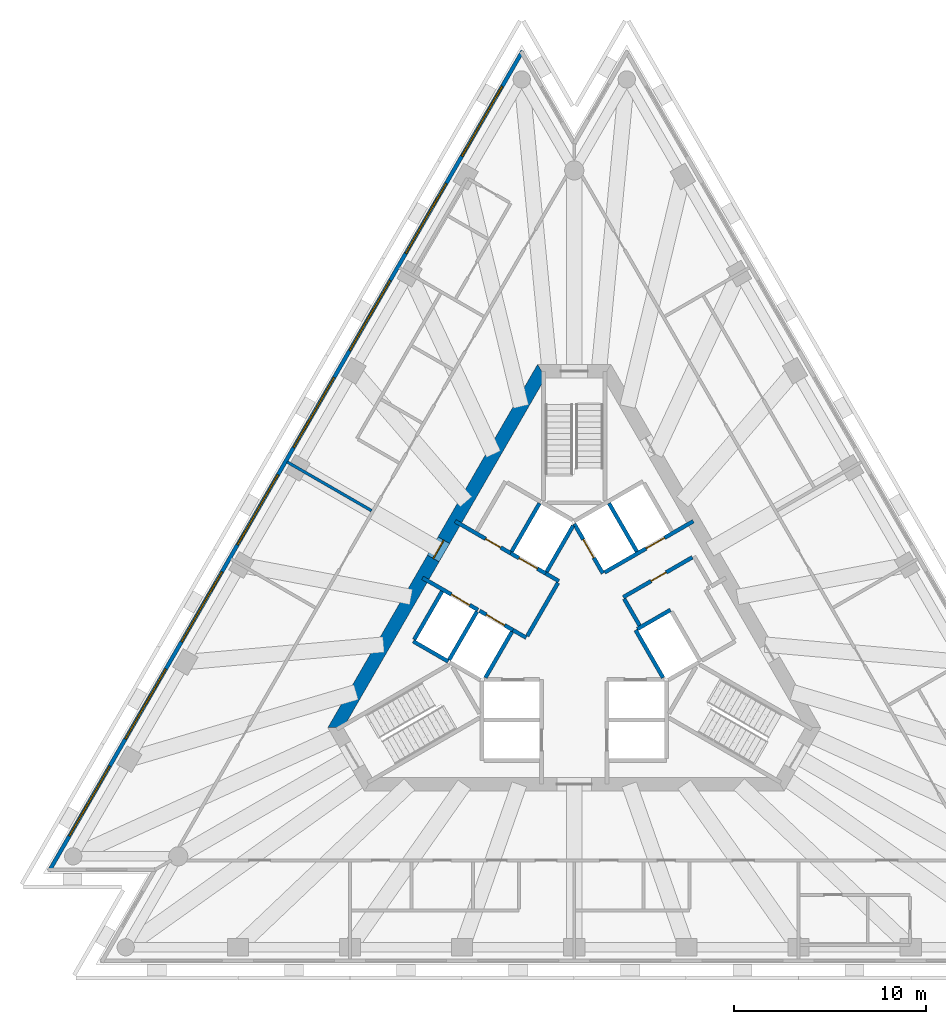
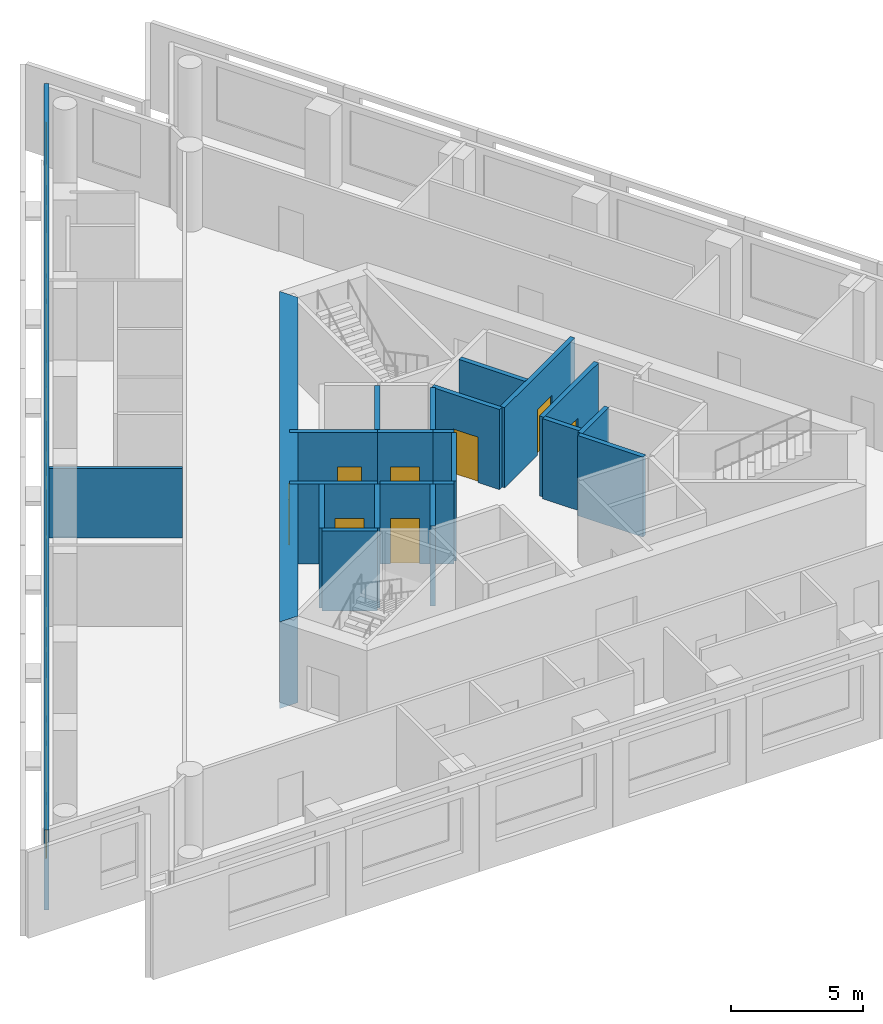
# One storey, part 4 of 10: 23 walls, 8 doors, 8 windows, 16 openings.
"""IFC4 building model written with IfcOpenShell, lengths in metres."""

from ifc_helpers import new_model, si_unit, direction, frame, frame_2d, origin, place, context, subcontext, project, spatial, polyline, rectangle, outline, extrude, material, layer, layer_set, layer_usage, type_object, element, fill, save


model = new_model("IFC4")

# Units and contexts
model_context = context("Model", 3, precision=1e-05, world=origin(), true_north=direction((0.0, 1.0)))
body_context = subcontext(model_context, "Body", "Model", "MODEL_VIEW")
ifc_project = project(units=[si_unit("LENGTHUNIT", "METRE"), si_unit("AREAUNIT", "SQUARE_METRE"), si_unit("VOLUMEUNIT", "CUBIC_METRE"), si_unit("PLANEANGLEUNIT", "RADIAN"), si_unit("MASSUNIT", "GRAM", prefix="KILO")], contexts=[model_context])

# Site, building, storey
site_placement = place(None, origin())
site = spatial("IfcSite", under=ifc_project, at=site_placement, CompositionType="ELEMENT")
building_placement = place(site_placement, origin())
building = spatial("IfcBuilding", under=site, at=building_placement, Name="Triada Interchange Tower", CompositionType="ELEMENT")
storey_placement = place(building_placement, frame((0.0, 0.0, 247.300048828125)))
storey = spatial("IfcBuildingStorey", under=building, at=storey_placement, Name="L58", CompositionType="ELEMENT", Elevation=247.300048828125)

# Walls
ifc_material_1 = material(Name="Concrete C30/37", Category="concrete")
ifc_layer_1 = layer(ifc_material_1, 0.199951171875)
ifc_layer_set_1 = layer_set([ifc_layer_1], Name="CORE WALL 200 EI 120")
wall_type_1 = type_object("IfcWallType", Name="CORE WALL 200 EI 120", PredefinedType="SOLIDWALL", material=ifc_layer_set_1)
wall_1_placement = place(storey_placement, frame((-8.3759765625, -0.70703125, 0.0), z_axis=(0.0, 0.0, 1.0), x_axis=(0.866067520717, -0.499927044236, 0.0)))
element("IfcWall", 1, at=wall_1_placement, inside=storey, type_object=wall_type_1, Name="Wall L56 41", PredefinedType="SOLIDWALL", context=body_context, shape_type="SweptSolid", body=[
    extrude(rectangle(XDim=2.100341796875, YDim=0.199951171875, at=frame_2d((1.05029296875, 0.0))), origin(), (0.0, 0.0, 1.0), 3.699951171875),
])
wall_2_placement = place(storey_placement, frame((-8.325927734375, -0.6201171875, 0.0), z_axis=(0.0, 0.0, 1.0), x_axis=(0.500023687443, 0.866011727401, 0.0)))
element("IfcWall", 2, at=wall_2_placement, inside=storey, type_object=wall_type_1, Name="Wall L56 42", PredefinedType="SOLIDWALL", context=body_context, shape_type="SweptSolid", body=[
    extrude(rectangle(XDim=2.899658203125, YDim=0.199951171875, at=frame_2d((1.44970703125, 0.0))), origin(), (0.0, 0.0, 1.0), 3.699951171875),
])

# Wall, opening, door
wall_3_placement = place(storey_placement, frame((0.0, 5.39990234375, 0.0), z_axis=(0.0, 0.0, 1.0), x_axis=(0.500103862429, -0.865965430478, 0.0)))
wall_3 = element("IfcWall", 3, at=wall_3_placement, inside=storey, type_object=wall_type_1, Name="Wall L56 52", PredefinedType="SOLIDWALL", context=body_context, shape_type="SweptSolid", body=[
    extrude(rectangle(XDim=2.973388671875, YDim=0.199951171875, at=frame_2d((1.48681640625, 0.0))), origin(), (0.0, 0.0, 1.0), 3.699951171875),
])
opening_1_placement = place(wall_3_placement, frame((0.93701171875, 0.0, 0.0)))
opening_1 = element("IfcOpeningElement", 4, at=opening_1_placement, cuts=wall_3, Name="Opening LD-HR5", PredefinedType="OPENING", context=body_context, shape_type="SweptSolid", body=[
    extrude(rectangle(XDim=1.10009765625, YDim=2.10009765625, at=frame_2d((0.550048828125, 1.050048828125))), frame((0.0, 0.10986328125, 0.0), z_axis=(0.0, -1.0, 0.0), x_axis=(1.0, 0.0, 0.0)), (0.0, 0.0, 1.0), 0.219970703125),
])
ifc_material_2 = material(Name="Steel S235 door leaf", Category="steel")
door_type_1 = type_object("IfcDoorType", Name="LIFT LANDING DOOR 1100 EI 120", OperationType="SLIDING_TO_LEFT", PredefinedType="DOOR", material=ifc_material_2)
door_1_placement = place(opening_1_placement, origin())
door_1 = element("IfcDoor", 5, at=door_1_placement, inside=storey, type_object=door_type_1, Name="HR5 landing door L58", OperationType="SLIDING_TO_LEFT", OverallHeight=2.10009765625, OverallWidth=1.10009765625, PredefinedType="DOOR", context=body_context, shape_type="SweptSolid", body=[
    extrude(rectangle(XDim=1.10009765625, YDim=2.10009765625, at=frame_2d((0.550048828125, 1.050048828125))), frame((0.0, 0.02490234375, 0.0), z_axis=(0.0, -1.0, 0.0), x_axis=(1.0, 0.0, 0.0)), (0.0, 0.0, 1.0), 0.050048828125),
])
fill(opening_1, door_1)

# Wall
wall_4_placement = place(storey_placement, frame((3.18994140625, -0.125, 0.0), z_axis=(0.0, 0.0, 1.0), x_axis=(0.499988658015, -0.866031951983, 0.0)))
element("IfcWall", 6, at=wall_4_placement, inside=storey, type_object=wall_type_1, Name="Wall L56 53", PredefinedType="SOLIDWALL", context=body_context, shape_type="SweptSolid", body=[
    extrude(rectangle(XDim=2.85791015625, YDim=0.199951171875, at=frame_2d((1.428955078125, 0.0))), origin(), (0.0, 0.0, 1.0), 3.699951171875),
])

# Wall, opening, door
wall_5_placement = place(storey_placement, frame((1.577880859375, 2.8740234375, 0.0), z_axis=(0.0, 0.0, 1.0), x_axis=(0.866045911672, 0.499964477614, 0.0)))
wall_5 = element("IfcWall", 7, at=wall_5_placement, inside=storey, type_object=wall_type_1, Name="Wall L56 54", PredefinedType="SOLIDWALL", context=body_context, shape_type="SweptSolid", body=[
    extrude(rectangle(XDim=5.32666015625, YDim=0.199951171875, at=frame_2d((2.663330078125, 0.0))), origin(), (0.0, 0.0, 1.0), 3.699951171875),
])
opening_2_placement = place(wall_5_placement, frame((2.49609375, 0.0, 0.0)))
opening_2 = element("IfcOpeningElement", 8, at=opening_2_placement, cuts=wall_5, Name="Opening LD-HR6", PredefinedType="OPENING", context=body_context, shape_type="SweptSolid", body=[
    extrude(rectangle(XDim=1.10009765625, YDim=2.10009765625, at=frame_2d((0.550048828125, 1.050048828125))), frame((0.0, 0.10986328125, 0.0), z_axis=(0.0, -1.0, 0.0), x_axis=(1.0, 0.0, 0.0)), (0.0, 0.0, 1.0), 0.219970703125),
])
door_2_placement = place(opening_2_placement, origin())
door_2 = element("IfcDoor", 9, at=door_2_placement, inside=storey, type_object=door_type_1, Name="HR6 landing door L58", OperationType="SLIDING_TO_LEFT", OverallHeight=2.10009765625, OverallWidth=1.10009765625, PredefinedType="DOOR", context=body_context, shape_type="SweptSolid", body=[
    extrude(rectangle(XDim=1.10009765625, YDim=2.10009765625, at=frame_2d((0.550048828125, 1.050048828125))), frame((0.0, 0.02490234375, 0.0), z_axis=(0.0, -1.0, 0.0), x_axis=(1.0, 0.0, 0.0)), (0.0, 0.0, 1.0), 0.050048828125),
])
fill(opening_2, door_2)

# Walls
wall_6_placement = place(storey_placement, frame((3.278076171875, -0.071044921875, 0.0), z_axis=(0.0, 0.0, 1.0), x_axis=(0.865855657918, 0.500293893279, 0.0)))
element("IfcWall", 10, at=wall_6_placement, inside=storey, type_object=wall_type_1, Name="Wall L56 57", PredefinedType="SOLIDWALL", context=body_context, shape_type="SweptSolid", body=[
    extrude(rectangle(XDim=1.996826171875, YDim=0.199951171875, at=frame_2d((0.99853515625, 0.0))), origin(), (0.0, 0.0, 1.0), 3.699951171875),
])
wall_7_placement = place(storey_placement, frame((1.806884765625, 6.469970703125, 0.0), z_axis=(0.0, 0.0, 1.0), x_axis=(0.50012328804, -0.865954211699, 0.0)))
element("IfcWall", 11, at=wall_7_placement, inside=storey, type_object=wall_type_1, Name="Wall L56 60", PredefinedType="SOLIDWALL", context=body_context, shape_type="SweptSolid", body=[
    extrude(rectangle(XDim=2.899658203125, YDim=0.199951171875, at=frame_2d((1.44970703125, 0.0))), origin(), (0.0, 0.0, 1.0), 3.699951171875),
])

# Wall, opening, door
wall_8_placement = place(storey_placement, frame((2.548095703125, 1.5869140625, 0.0), z_axis=(0.0, 0.0, 1.0), x_axis=(0.866004344652, 0.500036473714, 0.0)))
wall_8 = element("IfcWall", 12, at=wall_8_placement, inside=storey, type_object=wall_type_1, Name="Wall L56 64", PredefinedType="SOLIDWALL", context=body_context, shape_type="SweptSolid", body=[
    extrude(rectangle(XDim=4.150146484375, YDim=0.199951171875, at=frame_2d((2.0751953125, 0.0))), origin(), (0.0, 0.0, 1.0), 3.699951171875),
])
opening_3_placement = place(wall_8_placement, frame((1.675048828125, 0.0, 0.0)))
opening_3 = element("IfcOpeningElement", 13, at=opening_3_placement, cuts=wall_8, Name="Opening D56-46", PredefinedType="OPENING", context=body_context, shape_type="SweptSolid", body=[
    extrude(rectangle(XDim=0.89990234375, YDim=2.10009765625, at=frame_2d((0.449951171875, 1.050048828125))), frame((0.0, 0.10986328125, 0.0), z_axis=(0.0, -1.0, 0.0), x_axis=(1.0, 0.0, 0.0)), (0.0, 0.0, 1.0), 0.219970703125),
])
door_type_2 = type_object("IfcDoorType", Name="SERVICE DOOR 900 EI2 45-C5S200", OperationType="NOTDEFINED", PredefinedType="DOOR", material=ifc_material_2)
door_3_placement = place(opening_3_placement, origin())
door_3 = element("IfcDoor", 14, at=door_3_placement, inside=storey, type_object=door_type_2, Name="Door D56-46 L58", OperationType="SINGLE_SWING_RIGHT", OverallHeight=2.10009765625, OverallWidth=0.89990234375, PredefinedType="DOOR", context=body_context, shape_type="SweptSolid", body=[
    extrude(rectangle(XDim=0.89990234375, YDim=2.10009765625, at=frame_2d((0.449951171875, 1.050048828125))), frame((0.0, 0.02490234375, 0.0), z_axis=(0.0, -1.0, 0.0), x_axis=(1.0, 0.0, 0.0)), (0.0, 0.0, 1.0), 0.050048828125),
])
fill(opening_3, door_3)

# Wall
wall_9_placement = place(storey_placement, frame((2.597900390625, 1.5, 0.0), z_axis=(0.0, 0.0, 1.0), x_axis=(0.499929347863, -0.866066190972, 0.0)))
element("IfcWall", 15, at=wall_9_placement, inside=storey, type_object=wall_type_1, Name="Wall L56 65", PredefinedType="SOLIDWALL", context=body_context, shape_type="SweptSolid", body=[
    extrude(rectangle(XDim=1.600341796875, YDim=0.199951171875, at=frame_2d((0.80029296875, 0.0))), origin(), (0.0, 0.0, 1.0), 3.699951171875),
])

# Wall, opening, door
ifc_layer_2 = layer(ifc_material_1, 0.199951171875)
ifc_layer_set_2 = layer_set([ifc_layer_2], Name="CORE WALL 200 EI 180")
wall_type_2 = type_object("IfcWallType", Name="CORE WALL 200 EI 180", PredefinedType="SOLIDWALL", material=ifc_layer_set_2)
wall_10_placement = place(storey_placement, frame((-7.89111328125, 2.593017578125, 0.0), z_axis=(0.0, 0.0, 1.0), x_axis=(0.866070917804, -0.499921159118, 0.0)))
wall_10 = element("IfcWall", 16, at=wall_10_placement, inside=storey, type_object=wall_type_2, Name="Wall L56 66", PredefinedType="SOLIDWALL", context=body_context, shape_type="SweptSolid", body=[
    extrude(rectangle(XDim=3.33251953125, YDim=0.199951171875, at=frame_2d((1.666259765625, 0.0))), origin(), (0.0, 0.0, 1.0), 3.699951171875),
])
opening_4_placement = place(wall_10_placement, frame((1.72998046875, 0.0, 0.0)))
opening_4 = element("IfcOpeningElement", 17, at=opening_4_placement, cuts=wall_10, Name="Opening LD-SV1", PredefinedType="OPENING", context=body_context, shape_type="SweptSolid", body=[
    extrude(rectangle(XDim=1.10009765625, YDim=2.10009765625, at=frame_2d((0.550048828125, 1.050048828125))), frame((0.0, 0.10986328125, 0.0), z_axis=(0.0, -1.0, 0.0), x_axis=(1.0, 0.0, 0.0)), (0.0, 0.0, 1.0), 0.219970703125),
])
door_4_placement = place(opening_4_placement, origin())
door_4 = element("IfcDoor", 18, at=door_4_placement, inside=storey, type_object=door_type_1, Name="SV1 landing door L58", OperationType="SLIDING_TO_LEFT", OverallHeight=2.10009765625, OverallWidth=1.10009765625, PredefinedType="DOOR", context=body_context, shape_type="SweptSolid", body=[
    extrude(rectangle(XDim=1.10009765625, YDim=2.10009765625, at=frame_2d((0.550048828125, 1.050048828125))), frame((0.0, 0.02490234375, 0.0), z_axis=(0.0, -1.0, 0.0), x_axis=(1.0, 0.0, 0.0)), (0.0, 0.0, 1.0), 0.050048828125),
])
fill(opening_4, door_4)

# Wall
wall_11_placement = place(storey_placement, frame((-3.18798828125, -0.1220703125, 0.0), z_axis=(0.0, 0.0, 1.0), x_axis=(0.865705793592, -0.50055317294, 0.0)))
element("IfcWall", 19, at=wall_11_placement, inside=storey, type_object=wall_type_2, Name="Wall L56 67", PredefinedType="SOLIDWALL", context=body_context, shape_type="SweptSolid", body=[
    extrude(rectangle(XDim=0.796875, YDim=0.199951171875, at=frame_2d((0.3984375, 0.0))), origin(), (0.0, 0.0, 1.0), 3.699951171875),
])

# Wall, opening, door
wall_12_placement = place(storey_placement, frame((-6.19091796875, 5.537109375, 0.0), z_axis=(0.0, 0.0, 1.0), x_axis=(0.866052607023, -0.499952879648, 0.0)))
wall_12 = element("IfcWall", 20, at=wall_12_placement, inside=storey, type_object=wall_type_2, Name="Wall L56 68", PredefinedType="SOLIDWALL", context=body_context, shape_type="SweptSolid", body=[
    extrude(rectangle(XDim=3.332275390625, YDim=0.199951171875, at=frame_2d((1.666015625, 0.0))), origin(), (0.0, 0.0, 1.0), 3.699951171875),
])
opening_5_placement = place(wall_12_placement, frame((1.830078125, 0.0, 0.0)))
opening_5 = element("IfcOpeningElement", 21, at=opening_5_placement, cuts=wall_12, Name="Opening D56-10", PredefinedType="OPENING", context=body_context, shape_type="SweptSolid", body=[
    extrude(rectangle(XDim=0.89990234375, YDim=2.10009765625, at=frame_2d((0.449951171875, 1.050048828125))), frame((0.0, 0.10986328125, 0.0), z_axis=(0.0, -1.0, 0.0), x_axis=(1.0, 0.0, 0.0)), (0.0, 0.0, 1.0), 0.219970703125),
])
door_type_3 = type_object("IfcDoorType", Name="SERVICE DOOR 900 EI2 90-C5S200", OperationType="NOTDEFINED", PredefinedType="DOOR", material=ifc_material_2)
door_5_placement = place(opening_5_placement, origin())
door_5 = element("IfcDoor", 22, at=door_5_placement, inside=storey, type_object=door_type_3, Name="Door D56-10 L58", OperationType="SINGLE_SWING_LEFT", OverallHeight=2.10009765625, OverallWidth=0.89990234375, PredefinedType="DOOR", context=body_context, shape_type="SweptSolid", body=[
    extrude(rectangle(XDim=0.89990234375, YDim=2.10009765625, at=frame_2d((0.449951171875, 1.050048828125))), frame((0.0, 0.02490234375, 0.0), z_axis=(0.0, -1.0, 0.0), x_axis=(1.0, 0.0, 0.0)), (0.0, 0.0, 1.0), 0.050048828125),
])
fill(opening_5, door_5)

# Walls
wall_13_placement = place(storey_placement, frame((-1.488037109375, 2.822021484375, 0.0), z_axis=(0.0, 0.0, 1.0), x_axis=(0.866236612152, -0.499633997809, 0.0)))
element("IfcWall", 23, at=wall_13_placement, inside=storey, type_object=wall_type_2, Name="Wall L56 69", PredefinedType="SOLIDWALL", context=body_context, shape_type="SweptSolid", body=[
    extrude(rectangle(XDim=0.79638671875, YDim=0.199951171875, at=frame_2d((0.398193359375, 0.0))), origin(), (0.0, 0.0, 1.0), 3.699951171875),
])
wall_14_placement = place(storey_placement, frame((-2.444091796875, -0.43310546875, 0.0), z_axis=(0.0, 0.0, 1.0), x_axis=(0.500035624827, 0.866004834804, 0.0)))
element("IfcWall", 24, at=wall_14_placement, inside=storey, type_object=wall_type_2, Name="Wall L56 72", PredefinedType="SOLIDWALL", context=body_context, shape_type="SweptSolid", body=[
    extrude(rectangle(XDim=3.194091796875, YDim=0.199951171875, at=frame_2d((1.59716796875, 0.0))), origin(), (0.0, 0.0, 1.0), 3.699951171875),
])
wall_15_placement = place(storey_placement, frame((-6.507080078125, -1.669921875, 0.0), z_axis=(0.0, 0.0, 1.0), x_axis=(0.50012328804, 0.865954211699, 0.0)))
element("IfcWall", 25, at=wall_15_placement, inside=storey, type_object=wall_type_2, Name="Shaft wall FF1 L56 73", PredefinedType="SOLIDWALL", context=body_context, shape_type="SweptSolid", body=[
    extrude(rectangle(XDim=2.899658203125, YDim=0.199951171875, at=frame_2d((1.44970703125, 0.0))), origin(), (0.0, 0.0, 1.0), 3.699951171875),
])

# Wall, opening, door
wall_16_placement = place(storey_placement, frame((-4.922119140625, 0.87890625, 0.0), z_axis=(0.0, 0.0, 1.0), x_axis=(0.866073918653, -0.499915960366, 0.0)))
wall_16 = element("IfcWall", 26, at=wall_16_placement, inside=storey, type_object=wall_type_2, Name="Shaft wall FF1 L56 75", PredefinedType="SOLIDWALL", context=body_context, shape_type="SweptSolid", body=[
    extrude(rectangle(XDim=2.002197265625, YDim=0.199951171875, at=frame_2d((1.0009765625, 0.0))), origin(), (0.0, 0.0, 1.0), 3.699951171875),
])
opening_6_placement = place(wall_16_placement, frame((0.402099609375, 0.0, 0.0)))
opening_6 = element("IfcOpeningElement", 27, at=opening_6_placement, cuts=wall_16, Name="Opening LD-FF1", PredefinedType="OPENING", context=body_context, shape_type="SweptSolid", body=[
    extrude(rectangle(XDim=1.10009765625, YDim=2.10009765625, at=frame_2d((0.550048828125, 1.050048828125))), frame((0.0, 0.10986328125, 0.0), z_axis=(0.0, -1.0, 0.0), x_axis=(1.0, 0.0, 0.0)), (0.0, 0.0, 1.0), 0.219970703125),
])
door_6_placement = place(opening_6_placement, origin())
door_6 = element("IfcDoor", 28, at=door_6_placement, inside=storey, type_object=door_type_1, Name="FF1 landing door L58", OperationType="SLIDING_TO_LEFT", OverallHeight=2.10009765625, OverallWidth=1.10009765625, PredefinedType="DOOR", context=body_context, shape_type="SweptSolid", body=[
    extrude(rectangle(XDim=1.10009765625, YDim=2.10009765625, at=frame_2d((0.550048828125, 1.050048828125))), frame((0.0, 0.02490234375, 0.0), z_axis=(0.0, -1.0, 0.0), x_axis=(1.0, 0.0, 0.0)), (0.0, 0.0, 1.0), 0.050048828125),
])
fill(opening_6, door_6)

# Wall
wall_17_placement = place(storey_placement, frame((-4.618896484375, -2.60009765625, 0.0), z_axis=(0.0, 0.0, 1.0), x_axis=(0.50009492287, 0.865970593103, 0.0)))
element("IfcWall", 29, at=wall_17_placement, inside=storey, type_object=wall_type_2, Name="Shaft wall FF1 L56 76", PredefinedType="SOLIDWALL", context=body_context, shape_type="SweptSolid", body=[
    extrude(rectangle(XDim=2.76123046875, YDim=0.199951171875, at=frame_2d((1.380615234375, 0.0))), origin(), (0.0, 0.0, 1.0), 3.699951171875),
])

# Wall, opening, door
wall_18_placement = place(storey_placement, frame((-3.30908203125, 3.873046875, 0.0), z_axis=(0.0, 0.0, 1.0), x_axis=(0.866098583652, -0.499873227325, 0.0)))
wall_18 = element("IfcWall", 30, at=wall_18_placement, inside=storey, type_object=wall_type_2, Name="Shaft wall FF2 L56 77", PredefinedType="SOLIDWALL", context=body_context, shape_type="SweptSolid", body=[
    extrude(rectangle(XDim=2.1025390625, YDim=0.199951171875, at=frame_2d((1.05126953125, 0.0))), origin(), (0.0, 0.0, 1.0), 3.699951171875),
])
opening_7_placement = place(wall_18_placement, frame((0.501953125, 0.0, 0.0)))
opening_7 = element("IfcOpeningElement", 31, at=opening_7_placement, cuts=wall_18, Name="Opening LD-FF2", PredefinedType="OPENING", context=body_context, shape_type="SweptSolid", body=[
    extrude(rectangle(XDim=1.10009765625, YDim=2.10009765625, at=frame_2d((0.550048828125, 1.050048828125))), frame((0.0, 0.10986328125, 0.0), z_axis=(0.0, -1.0, 0.0), x_axis=(1.0, 0.0, 0.0)), (0.0, 0.0, 1.0), 0.219970703125),
])
door_7_placement = place(opening_7_placement, origin())
door_7 = element("IfcDoor", 32, at=door_7_placement, inside=storey, type_object=door_type_1, Name="FF2 landing door L58", OperationType="SLIDING_TO_LEFT", OverallHeight=2.10009765625, OverallWidth=1.10009765625, PredefinedType="DOOR", context=body_context, shape_type="SweptSolid", body=[
    extrude(rectangle(XDim=1.10009765625, YDim=2.10009765625, at=frame_2d((0.550048828125, 1.050048828125))), frame((0.0, 0.02490234375, 0.0), z_axis=(0.0, -1.0, 0.0), x_axis=(1.0, 0.0, 0.0)), (0.0, 0.0, 1.0), 0.050048828125),
])
fill(opening_7, door_7)

# Walls
wall_19_placement = place(storey_placement, frame((-3.257080078125, 3.958984375, 0.0), z_axis=(0.0, 0.0, 1.0), x_axis=(0.50012328804, 0.865954211699, 0.0)))
element("IfcWall", 33, at=wall_19_placement, inside=storey, type_object=wall_type_2, Name="Shaft wall FF2 L56 78", PredefinedType="SOLIDWALL", context=body_context, shape_type="SweptSolid", body=[
    extrude(rectangle(XDim=2.899658203125, YDim=0.199951171875, at=frame_2d((1.44970703125, 0.0))), origin(), (0.0, 0.0, 1.0), 3.699951171875),
])
wall_20_placement = place(storey_placement, frame((-1.43798828125, 2.908935546875, 0.0), z_axis=(0.0, 0.0, 1.0), x_axis=(0.499829630636, 0.866123744241, 0.0)))
element("IfcWall", 34, at=wall_20_placement, inside=storey, type_object=wall_type_2, Name="Shaft wall FF2 L56 80", PredefinedType="SOLIDWALL", context=body_context, shape_type="SweptSolid", body=[
    extrude(rectangle(XDim=2.7607421875, YDim=0.199951171875, at=frame_2d((1.38037109375, 0.0))), origin(), (0.0, 0.0, 1.0), 3.699951171875),
])

# Wall, opening, door
ifc_material_3 = material(Name="Concrete C50/60", Category="concrete")
ifc_layer_3 = layer(ifc_material_3, 0.699951171875)
ifc_layer_set_3 = layer_set([ifc_layer_3], Name="Core wall C 700")
wall_type_3 = type_object("IfcWallType", Name="Core wall C 700", PredefinedType="SHEAR", material=ifc_layer_set_3)
wall_21_placement = place(storey_placement, frame((-1.702880859375, 13.35009765625, -0.300048828125), z_axis=(0.0, 0.0, 1.0), x_axis=(-0.500011533395, -0.866018744874, 0.0)))
wall_21 = element("IfcWall", 35, at=wall_21_placement, inside=storey, type_object=wall_type_3, Name="Core wall WC02 L58", PredefinedType="SHEAR", context=body_context, shape_type="SweptSolid", body=[
    extrude(outline(polyline([(-0.201904296875, -0.35009765625), (1.781982421875, -0.35009765625), (3.76611328125, -0.35009765625), (5.75, -0.35009765625), (7.734130859375, -0.35009765625), (9.718017578125, -0.35009765625), (11.7021484375, -0.35009765625), (13.68603515625, -0.35009765625), (15.670166015625, -0.35009765625), (17.654052734375, -0.35009765625), (19.63818359375, -0.35009765625), (21.6220703125, -0.35009765625), (21.218017578125, 0.35009765625), (19.307373046875, 0.35009765625), (17.39697265625, 0.35009765625), (15.486328125, 0.35009765625), (13.57568359375, 0.35009765625), (11.665283203125, 0.35009765625), (9.754638671875, 0.35009765625), (7.84423828125, 0.35009765625), (5.93359375, 0.35009765625), (4.02294921875, 0.35009765625), (2.112548828125, 0.35009765625), (0.201904296875, 0.35009765625), (-0.201904296875, -0.35009765625)])), origin(), (0.0, 0.0, 1.0), 4.0),
])
opening_8_placement = place(wall_21_placement, frame((10.159912109375, 0.0, 0.300048828125)))
opening_8 = element("IfcOpeningElement", 36, at=opening_8_placement, cuts=wall_21, Name="Opening D56-43", PredefinedType="OPENING", context=body_context, shape_type="SweptSolid", body=[
    extrude(rectangle(XDim=1.10009765625, YDim=2.10009765625, at=frame_2d((0.550048828125, 1.050048828125))), frame((0.0, 0.360107421875, 0.0), z_axis=(0.0, -1.0, 0.0), x_axis=(1.0, 0.0, 0.0)), (0.0, 0.0, 1.0), 0.72021484375),
])
door_type_4 = type_object("IfcDoorType", Name="FIRE LOBBY DOOR 1100 EI2 90-C5S200", OperationType="NOTDEFINED", PredefinedType="DOOR", material=ifc_material_2)
door_8_placement = place(opening_8_placement, origin())
door_8 = element("IfcDoor", 37, at=door_8_placement, inside=storey, type_object=door_type_4, Name="Door D56-43 L58", OperationType="SINGLE_SWING_RIGHT", OverallHeight=2.10009765625, OverallWidth=1.10009765625, PredefinedType="DOOR", context=body_context, shape_type="SweptSolid", body=[
    extrude(rectangle(XDim=1.10009765625, YDim=2.10009765625, at=frame_2d((0.550048828125, 1.050048828125))), frame((0.0, 0.02490234375, 0.0), z_axis=(0.0, -1.0, 0.0), x_axis=(1.0, 0.0, 0.0)), (0.0, 0.0, 1.0), 0.050048828125),
])
fill(opening_8, door_8)

# Wall, openings, windows
ifc_material_4 = material(Name="Cement board")
ifc_layer_4 = layer(ifc_material_4, 0.02001953125, Name="Cement board cladding")
ifc_material_5 = material(Name="Sheathing board")
ifc_layer_5 = layer(ifc_material_5, 0.014892578125, Name="Sheathing board")
ifc_material_6 = material(Name="Mineral wool")
ifc_layer_6 = layer(ifc_material_6, 0.14990234375, Name="Mineral wool between steel studs")
ifc_material_7 = material(Name="Gypsum board")
ifc_layer_7 = layer(ifc_material_7, 0.014892578125, Name="Plasterboard lining")
ifc_layer_set_4 = layer_set([ifc_layer_4, ifc_layer_5, ifc_layer_6, ifc_layer_7], Name="External wall 200")
ifc_layer_usage = layer_usage(ifc_layer_set_4, "AXIS2", "POSITIVE", -0.10009765625)
wall_type_4 = type_object("IfcWallType", Name="External wall 200", PredefinedType="ELEMENTEDWALL", material=ifc_layer_set_4)
wall_22_placement = place(storey_placement, frame((-2.68701171875, 29.9951171875, 0.0), z_axis=(0.0, 0.0, 1.0), x_axis=(-0.499992950893, -0.86602947355, 0.0)))
wall_22 = element("IfcWall", 38, at=wall_22_placement, inside=storey, type_object=wall_type_4, material=ifc_layer_usage, Name="External wall L58 NW", PredefinedType="ELEMENTEDWALL", context=body_context, shape_type="SweptSolid", body=[
    extrude(rectangle(XDim=49.246826171875, YDim=0.199951171875, at=frame_2d((24.62353515625, 0.0))), origin(), (0.0, 0.0, 1.0), 3.699951171875),
])
opening_9_placement = place(wall_22_placement, frame((2.118896484375, 0.0, 0.89990234375)))
opening_9 = element("IfcOpeningElement", 39, at=opening_9_placement, cuts=wall_22, Name="Opening WC01", PredefinedType="OPENING", context=body_context, shape_type="SweptSolid", body=[
    extrude(rectangle(XDim=4.199951171875, YDim=2.5, at=frame_2d((2.10009765625, 1.25))), frame((0.0, 0.10986328125, 0.0), z_axis=(0.0, -1.0, 0.0), x_axis=(1.0, 0.0, 0.0)), (0.0, 0.0, 1.0), 0.219970703125),
])
opening_10_placement = place(wall_22_placement, frame((7.950927734375, 0.0, 0.89990234375)))
opening_10 = element("IfcOpeningElement", 40, at=opening_10_placement, cuts=wall_22, Name="Opening WC02", PredefinedType="OPENING", context=body_context, shape_type="SweptSolid", body=[
    extrude(rectangle(XDim=4.199951171875, YDim=2.5, at=frame_2d((2.10009765625, 1.25))), frame((0.0, 0.10986328125, 0.0), z_axis=(0.0, -1.0, 0.0), x_axis=(1.0, 0.0, 0.0)), (0.0, 0.0, 1.0), 0.219970703125),
])
opening_11_placement = place(wall_22_placement, frame((13.783935546875, 0.0, 0.89990234375)))
opening_11 = element("IfcOpeningElement", 41, at=opening_11_placement, cuts=wall_22, Name="Opening WC03", PredefinedType="OPENING", context=body_context, shape_type="SweptSolid", body=[
    extrude(rectangle(XDim=4.199951171875, YDim=2.5, at=frame_2d((2.10009765625, 1.25))), frame((0.0, 0.10986328125, 0.0), z_axis=(0.0, -1.0, 0.0), x_axis=(1.0, 0.0, 0.0)), (0.0, 0.0, 1.0), 0.219970703125),
])
opening_12_placement = place(wall_22_placement, frame((19.616943359375, 0.0, 0.89990234375)))
opening_12 = element("IfcOpeningElement", 42, at=opening_12_placement, cuts=wall_22, Name="Opening WC04", PredefinedType="OPENING", context=body_context, shape_type="SweptSolid", body=[
    extrude(rectangle(XDim=4.199951171875, YDim=2.5, at=frame_2d((2.10009765625, 1.25))), frame((0.0, 0.10986328125, 0.0), z_axis=(0.0, -1.0, 0.0), x_axis=(1.0, 0.0, 0.0)), (0.0, 0.0, 1.0), 0.219970703125),
])
opening_13_placement = place(wall_22_placement, frame((25.448974609375, 0.0, 0.89990234375)))
opening_13 = element("IfcOpeningElement", 43, at=opening_13_placement, cuts=wall_22, Name="Opening WC05", PredefinedType="OPENING", context=body_context, shape_type="SweptSolid", body=[
    extrude(rectangle(XDim=4.199951171875, YDim=2.5, at=frame_2d((2.10009765625, 1.25))), frame((0.0, 0.10986328125, 0.0), z_axis=(0.0, -1.0, 0.0), x_axis=(1.0, 0.0, 0.0)), (0.0, 0.0, 1.0), 0.219970703125),
])
opening_14_placement = place(wall_22_placement, frame((31.281982421875, 0.0, 0.89990234375)))
opening_14 = element("IfcOpeningElement", 44, at=opening_14_placement, cuts=wall_22, Name="Opening WC06", PredefinedType="OPENING", context=body_context, shape_type="SweptSolid", body=[
    extrude(rectangle(XDim=4.199951171875, YDim=2.5, at=frame_2d((2.10009765625, 1.25))), frame((0.0, 0.10986328125, 0.0), z_axis=(0.0, -1.0, 0.0), x_axis=(1.0, 0.0, 0.0)), (0.0, 0.0, 1.0), 0.219970703125),
])
opening_15_placement = place(wall_22_placement, frame((37.114990234375, 0.0, 0.89990234375)))
opening_15 = element("IfcOpeningElement", 45, at=opening_15_placement, cuts=wall_22, Name="Opening WC07", PredefinedType="OPENING", context=body_context, shape_type="SweptSolid", body=[
    extrude(rectangle(XDim=4.199951171875, YDim=2.5, at=frame_2d((2.10009765625, 1.25))), frame((0.0, 0.10986328125, 0.0), z_axis=(0.0, -1.0, 0.0), x_axis=(1.0, 0.0, 0.0)), (0.0, 0.0, 1.0), 0.219970703125),
])
opening_16_placement = place(wall_22_placement, frame((42.947021484375, 0.0, 0.89990234375)))
opening_16 = element("IfcOpeningElement", 46, at=opening_16_placement, cuts=wall_22, Name="Opening WC08", PredefinedType="OPENING", context=body_context, shape_type="SweptSolid", body=[
    extrude(rectangle(XDim=4.199951171875, YDim=2.5, at=frame_2d((2.10009765625, 1.25))), frame((0.0, 0.10986328125, 0.0), z_axis=(0.0, -1.0, 0.0), x_axis=(1.0, 0.0, 0.0)), (0.0, 0.0, 1.0), 0.219970703125),
])
ifc_material_8 = material(Name="Double glazed aluminium window", Category="aluminium")
window_type = type_object("IfcWindowType", Name="Ribbon window C face", PartitioningType="SINGLE_PANEL", PredefinedType="WINDOW", material=ifc_material_8)
window_1_placement = place(opening_9_placement, origin())
window_1 = element("IfcWindow", 47, at=window_1_placement, inside=storey, type_object=window_type, Name="Window L58 NW 1", OverallHeight=2.5, OverallWidth=4.199951171875, PartitioningType="SINGLE_PANEL", PredefinedType="WINDOW", context=body_context, shape_type="SweptSolid", body=[
    extrude(rectangle(XDim=4.199951171875, YDim=2.5, at=frame_2d((2.10009765625, 1.25))), frame((0.0, 0.030029296875, 0.0), z_axis=(0.0, -1.0, 0.0), x_axis=(1.0, 0.0, 0.0)), (0.0, 0.0, 1.0), 0.06005859375),
])
fill(opening_9, window_1)
window_2_placement = place(opening_10_placement, origin())
window_2 = element("IfcWindow", 48, at=window_2_placement, inside=storey, type_object=window_type, Name="Window L58 NW 2", OverallHeight=2.5, OverallWidth=4.199951171875, PartitioningType="SINGLE_PANEL", PredefinedType="WINDOW", context=body_context, shape_type="SweptSolid", body=[
    extrude(rectangle(XDim=4.199951171875, YDim=2.5, at=frame_2d((2.10009765625, 1.25))), frame((0.0, 0.030029296875, 0.0), z_axis=(0.0, -1.0, 0.0), x_axis=(1.0, 0.0, 0.0)), (0.0, 0.0, 1.0), 0.06005859375),
])
fill(opening_10, window_2)
window_3_placement = place(opening_11_placement, origin())
window_3 = element("IfcWindow", 49, at=window_3_placement, inside=storey, type_object=window_type, Name="Window L58 NW 3", OverallHeight=2.5, OverallWidth=4.199951171875, PartitioningType="SINGLE_PANEL", PredefinedType="WINDOW", context=body_context, shape_type="SweptSolid", body=[
    extrude(rectangle(XDim=4.199951171875, YDim=2.5, at=frame_2d((2.10009765625, 1.25))), frame((0.0, 0.030029296875, 0.0), z_axis=(0.0, -1.0, 0.0), x_axis=(1.0, 0.0, 0.0)), (0.0, 0.0, 1.0), 0.06005859375),
])
fill(opening_11, window_3)
window_4_placement = place(opening_12_placement, origin())
window_4 = element("IfcWindow", 50, at=window_4_placement, inside=storey, type_object=window_type, Name="Window L58 NW 4", OverallHeight=2.5, OverallWidth=4.199951171875, PartitioningType="SINGLE_PANEL", PredefinedType="WINDOW", context=body_context, shape_type="SweptSolid", body=[
    extrude(rectangle(XDim=4.199951171875, YDim=2.5, at=frame_2d((2.10009765625, 1.25))), frame((0.0, 0.030029296875, 0.0), z_axis=(0.0, -1.0, 0.0), x_axis=(1.0, 0.0, 0.0)), (0.0, 0.0, 1.0), 0.06005859375),
])
fill(opening_12, window_4)
window_5_placement = place(opening_13_placement, origin())
window_5 = element("IfcWindow", 51, at=window_5_placement, inside=storey, type_object=window_type, Name="Window L58 NW 5", OverallHeight=2.5, OverallWidth=4.199951171875, PartitioningType="SINGLE_PANEL", PredefinedType="WINDOW", context=body_context, shape_type="SweptSolid", body=[
    extrude(rectangle(XDim=4.199951171875, YDim=2.5, at=frame_2d((2.10009765625, 1.25))), frame((0.0, 0.030029296875, 0.0), z_axis=(0.0, -1.0, 0.0), x_axis=(1.0, 0.0, 0.0)), (0.0, 0.0, 1.0), 0.06005859375),
])
fill(opening_13, window_5)
window_6_placement = place(opening_14_placement, origin())
window_6 = element("IfcWindow", 52, at=window_6_placement, inside=storey, type_object=window_type, Name="Window L58 NW 6", OverallHeight=2.5, OverallWidth=4.199951171875, PartitioningType="SINGLE_PANEL", PredefinedType="WINDOW", context=body_context, shape_type="SweptSolid", body=[
    extrude(rectangle(XDim=4.199951171875, YDim=2.5, at=frame_2d((2.10009765625, 1.25))), frame((0.0, 0.030029296875, 0.0), z_axis=(0.0, -1.0, 0.0), x_axis=(1.0, 0.0, 0.0)), (0.0, 0.0, 1.0), 0.06005859375),
])
fill(opening_14, window_6)
window_7_placement = place(opening_15_placement, origin())
window_7 = element("IfcWindow", 53, at=window_7_placement, inside=storey, type_object=window_type, Name="Window L58 NW 7", OverallHeight=2.5, OverallWidth=4.199951171875, PartitioningType="SINGLE_PANEL", PredefinedType="WINDOW", context=body_context, shape_type="SweptSolid", body=[
    extrude(rectangle(XDim=4.199951171875, YDim=2.5, at=frame_2d((2.10009765625, 1.25))), frame((0.0, 0.030029296875, 0.0), z_axis=(0.0, -1.0, 0.0), x_axis=(1.0, 0.0, 0.0)), (0.0, 0.0, 1.0), 0.06005859375),
])
fill(opening_15, window_7)
window_8_placement = place(opening_16_placement, origin())
window_8 = element("IfcWindow", 54, at=window_8_placement, inside=storey, type_object=window_type, Name="Window L58 NW 8", OverallHeight=2.5, OverallWidth=4.199951171875, PartitioningType="SINGLE_PANEL", PredefinedType="WINDOW", context=body_context, shape_type="SweptSolid", body=[
    extrude(rectangle(XDim=4.199951171875, YDim=2.5, at=frame_2d((2.10009765625, 1.25))), frame((0.0, 0.030029296875, 0.0), z_axis=(0.0, -1.0, 0.0), x_axis=(1.0, 0.0, 0.0)), (0.0, 0.0, 1.0), 0.06005859375),
])
fill(opening_16, window_8)

# Wall
ifc_material_9 = material(Name="Gypsum board partition")
ifc_layer_8 = layer(ifc_material_9, 0.14990234375)
ifc_layer_set_5 = layer_set([ifc_layer_8], Name="PARTITION 150 EI 180")
wall_type_5 = type_object("IfcWallType", Name="PARTITION 150 EI 180", PredefinedType="PARTITIONING", material=ifc_layer_set_5)
wall_23_placement = place(storey_placement, frame((-14.93408203125, 8.6220703125, 0.0), z_axis=(0.0, 0.0, 1.0), x_axis=(0.86598187042, -0.500075394419, 0.0)))
element("IfcWall", 55, at=wall_23_placement, inside=storey, type_object=wall_type_5, Name="Wall L56 6", PredefinedType="PARTITIONING", context=body_context, shape_type="SweptSolid", body=[
    extrude(rectangle(XDim=5.069580078125, YDim=0.14990234375, at=frame_2d((2.53466796875, 0.0))), origin(), (0.0, 0.0, 1.0), 3.199951171875),
])

save(model, "model.ifc")
